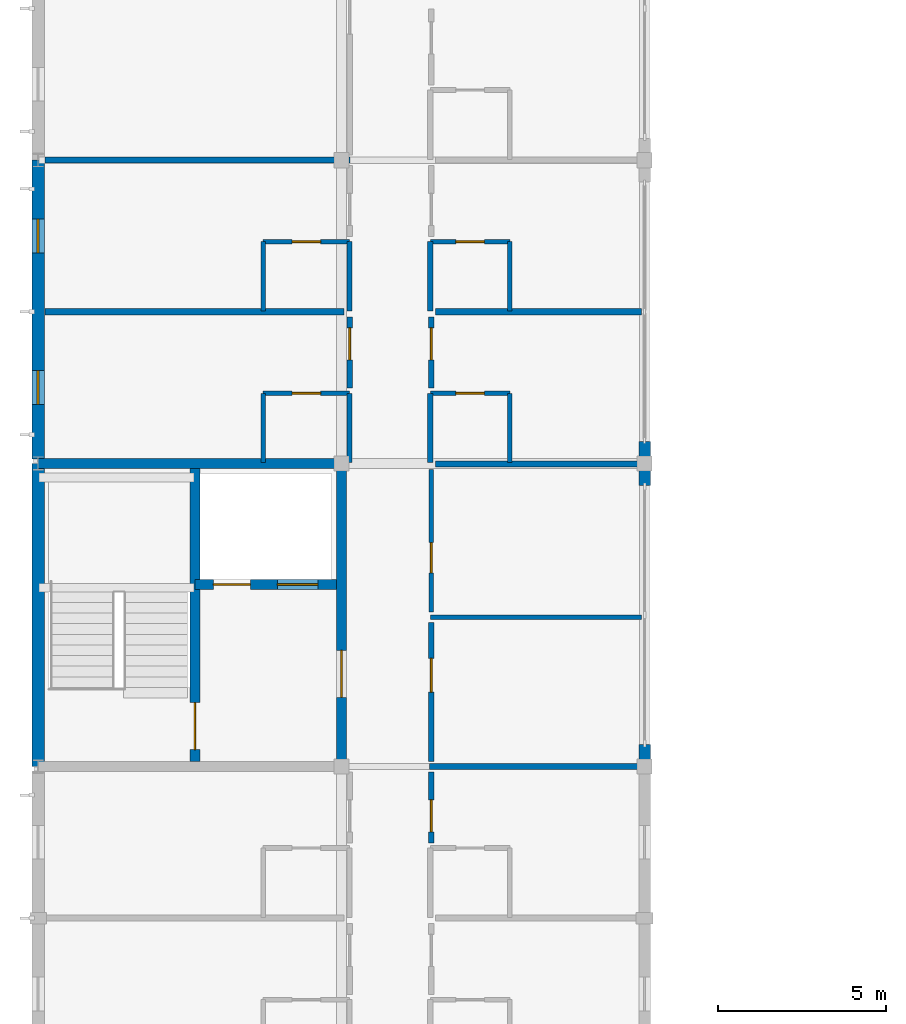
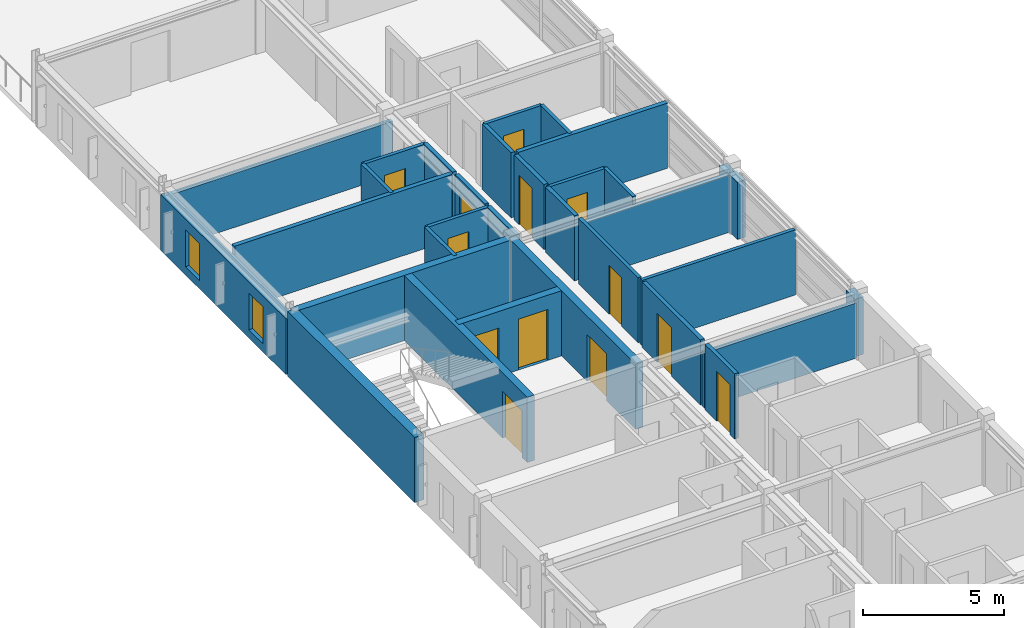
# One storey, part 13 of 20: 32 walls, 13 doors, 2 windows, 15 openings.
"""IFC4 building model written with IfcOpenShell, lengths in metres."""

from ifc_helpers import new_model, si_unit, direction, frame, frame_2d, origin, place, context, subcontext, project, spatial, rectangle, extrude, material, layer, layer_set, type_object, element, fill, save


model = new_model("IFC4")

# Units and contexts
model_context = context("Model", 3, precision=1e-05, world=origin(), true_north=direction((0.0, 1.0)))
body_context = subcontext(model_context, "Body", "Model", "MODEL_VIEW")
ifc_project = project(units=[si_unit("LENGTHUNIT", "METRE"), si_unit("AREAUNIT", "SQUARE_METRE"), si_unit("VOLUMEUNIT", "CUBIC_METRE"), si_unit("PLANEANGLEUNIT", "RADIAN"), si_unit("MASSUNIT", "GRAM", prefix="KILO")], contexts=[model_context])

# Site, building, storey
site_placement = place(None, origin())
site = spatial("IfcSite", under=ifc_project, at=site_placement, CompositionType="ELEMENT")
building_placement = place(site_placement, origin())
building = spatial("IfcBuilding", under=site, at=building_placement, Name="Palais des Congres Ocreval", CompositionType="ELEMENT")
storey_placement = place(building_placement, frame((0.0, 0.0, 20.639892578125)))
storey = spatial("IfcBuildingStorey", under=building, at=storey_placement, Name="L06", CompositionType="ELEMENT", Elevation=20.639892578125)

# Wall, opening, door
ifc_material_1 = material(Name="Moisture-resistant gypsum board")
ifc_layer_1 = layer(ifc_material_1, 0.139892578125)
ifc_layer_set_1 = layer_set([ifc_layer_1], Name="Bathroom Plumbing Chase Wall 140 Gypsum (Moisture-resistant gypsum board)")
wall_type_1 = type_object("IfcWallType", Name="Bathroom Plumbing Chase Wall 140 Gypsum", PredefinedType="PLUMBINGWALL", material=ifc_layer_set_1)
wall_1_placement = place(storey_placement, frame((6.679931640625, 47.080078125, 0.0), z_axis=(0.0, 0.0, 1.0), x_axis=(1.0, 0.0, 0.0)))
wall_1 = element("IfcWall", 1, at=wall_1_placement, inside=storey, type_object=wall_type_1, Name="Bathroom Plumbing Wall PW03 L06", PredefinedType="PLUMBINGWALL", context=body_context, shape_type="SweptSolid", body=[
    extrude(rectangle(XDim=2.56005859375, YDim=0.139892578125, at=frame_2d((1.280029296875, 0.0))), origin(), (0.0, 0.0, 1.0), 2.820068359375),
])
opening_1_placement = place(wall_1_placement, frame((0.85498046875, 0.0, 0.0)))
opening_1 = element("IfcOpeningElement", 2, at=opening_1_placement, cuts=wall_1, Name="Opening D08", PredefinedType="OPENING", context=body_context, shape_type="SweptSolid", body=[
    extrude(rectangle(XDim=0.85009765625, YDim=2.0400390625, at=frame_2d((0.425048828125, 1.02001953125))), frame((0.0, 0.079833984375, 0.0), z_axis=(0.0, -1.0, 0.0), x_axis=(1.0, 0.0, 0.0)), (0.0, 0.0, 1.0), 0.159912109375),
])
ifc_material_2 = material(Name="Solid French oak", Category="wood")
door_type_1 = type_object("IfcDoorType", Name="En-Suite Bathroom Door 850x2040", OperationType="NOTDEFINED", PredefinedType="DOOR", material=ifc_material_2)
door_1_placement = place(opening_1_placement, origin())
door_1 = element("IfcDoor", 3, at=door_1_placement, inside=storey, type_object=door_type_1, Name="En-Suite Bathroom Door D08 L06", OperationType="SINGLE_SWING_RIGHT", OverallHeight=2.0400390625, OverallWidth=0.85009765625, PredefinedType="DOOR", context=body_context, shape_type="SweptSolid", body=[
    extrude(rectangle(XDim=0.85009765625, YDim=2.0400390625, at=frame_2d((0.425048828125, 1.02001953125))), frame((0.0, 0.02490234375, 0.0), z_axis=(0.0, -1.0, 0.0), x_axis=(1.0, 0.0, 0.0)), (0.0, 0.0, 1.0), 0.050048828125),
])
fill(opening_1, door_1)

# Wall
wall_2_placement = place(storey_placement, frame((6.679931640625, 45.02001953125, 0.0), z_axis=(0.0, 0.0, 1.0), x_axis=(0.0, 1.0, 0.0)))
element("IfcWall", 4, at=wall_2_placement, inside=storey, type_object=wall_type_1, Name="Bathroom Plumbing Wall PW03 L06", PredefinedType="PLUMBINGWALL", context=body_context, shape_type="SweptSolid", body=[
    extrude(rectangle(XDim=2.06005859375, YDim=0.139892578125, at=frame_2d((1.030029296875, 0.0))), origin(), (0.0, 0.0, 1.0), 2.820068359375),
])

# Wall, opening, door
wall_3_placement = place(storey_placement, frame((6.679931640625, 51.580078125, 0.0), z_axis=(0.0, 0.0, 1.0), x_axis=(1.0, 0.0, 0.0)))
wall_3 = element("IfcWall", 5, at=wall_3_placement, inside=storey, type_object=wall_type_1, Name="Bathroom Plumbing Wall PW03 L06", PredefinedType="PLUMBINGWALL", context=body_context, shape_type="SweptSolid", body=[
    extrude(rectangle(XDim=2.56005859375, YDim=0.139892578125, at=frame_2d((1.280029296875, 0.0))), origin(), (0.0, 0.0, 1.0), 2.820068359375),
])
opening_2_placement = place(wall_3_placement, frame((0.85498046875, 0.0, 0.0)))
opening_2 = element("IfcOpeningElement", 6, at=opening_2_placement, cuts=wall_3, Name="Opening D08", PredefinedType="OPENING", context=body_context, shape_type="SweptSolid", body=[
    extrude(rectangle(XDim=0.85009765625, YDim=2.0400390625, at=frame_2d((0.425048828125, 1.02001953125))), frame((0.0, 0.079833984375, 0.0), z_axis=(0.0, -1.0, 0.0), x_axis=(1.0, 0.0, 0.0)), (0.0, 0.0, 1.0), 0.159912109375),
])
door_2_placement = place(opening_2_placement, origin())
door_2 = element("IfcDoor", 7, at=door_2_placement, inside=storey, type_object=door_type_1, Name="En-Suite Bathroom Door D08 L06", OperationType="SINGLE_SWING_LEFT", OverallHeight=2.0400390625, OverallWidth=0.85009765625, PredefinedType="DOOR", context=body_context, shape_type="SweptSolid", body=[
    extrude(rectangle(XDim=0.85009765625, YDim=2.0400390625, at=frame_2d((0.425048828125, 1.02001953125))), frame((0.0, 0.02490234375, 0.0), z_axis=(0.0, -1.0, 0.0), x_axis=(1.0, 0.0, 0.0)), (0.0, 0.0, 1.0), 0.050048828125),
])
fill(opening_2, door_2)

# Wall
wall_4_placement = place(storey_placement, frame((6.679931640625, 49.52001953125, 0.0), z_axis=(0.0, 0.0, 1.0), x_axis=(0.0, 1.0, 0.0)))
element("IfcWall", 8, at=wall_4_placement, inside=storey, type_object=wall_type_1, Name="Bathroom Plumbing Wall PW03 L06", PredefinedType="PLUMBINGWALL", context=body_context, shape_type="SweptSolid", body=[
    extrude(rectangle(XDim=2.06005859375, YDim=0.139892578125, at=frame_2d((1.030029296875, 0.0))), origin(), (0.0, 0.0, 1.0), 2.820068359375),
])

# Wall, opening, door
wall_5_placement = place(storey_placement, frame((11.639892578125, 47.080078125, 0.0), z_axis=(0.0, 0.0, 1.0), x_axis=(1.0, 0.0, 0.0)))
wall_5 = element("IfcWall", 9, at=wall_5_placement, inside=storey, type_object=wall_type_1, Name="Bathroom Plumbing Wall PW03 L06", PredefinedType="PLUMBINGWALL", context=body_context, shape_type="SweptSolid", body=[
    extrude(rectangle(XDim=2.360107421875, YDim=0.139892578125, at=frame_2d((1.18017578125, 0.0))), origin(), (0.0, 0.0, 1.0), 2.820068359375),
])
opening_3_placement = place(wall_5_placement, frame((0.7548828125, 0.0, 0.0)))
opening_3 = element("IfcOpeningElement", 10, at=opening_3_placement, cuts=wall_5, Name="Opening D08", PredefinedType="OPENING", context=body_context, shape_type="SweptSolid", body=[
    extrude(rectangle(XDim=0.85009765625, YDim=2.0400390625, at=frame_2d((0.425048828125, 1.02001953125))), frame((0.0, 0.079833984375, 0.0), z_axis=(0.0, -1.0, 0.0), x_axis=(1.0, 0.0, 0.0)), (0.0, 0.0, 1.0), 0.159912109375),
])
door_3_placement = place(opening_3_placement, origin())
door_3 = element("IfcDoor", 11, at=door_3_placement, inside=storey, type_object=door_type_1, Name="En-Suite Bathroom Door D08 L06", OperationType="SINGLE_SWING_RIGHT", OverallHeight=2.0400390625, OverallWidth=0.85009765625, PredefinedType="DOOR", context=body_context, shape_type="SweptSolid", body=[
    extrude(rectangle(XDim=0.85009765625, YDim=2.0400390625, at=frame_2d((0.425048828125, 1.02001953125))), frame((0.0, 0.02490234375, 0.0), z_axis=(0.0, -1.0, 0.0), x_axis=(1.0, 0.0, 0.0)), (0.0, 0.0, 1.0), 0.050048828125),
])
fill(opening_3, door_3)

# Wall
wall_6_placement = place(storey_placement, frame((14.0, 45.02001953125, 0.0), z_axis=(0.0, 0.0, 1.0), x_axis=(0.0, 1.0, 0.0)))
element("IfcWall", 12, at=wall_6_placement, inside=storey, type_object=wall_type_1, Name="Bathroom Plumbing Wall PW03 L06", PredefinedType="PLUMBINGWALL", context=body_context, shape_type="SweptSolid", body=[
    extrude(rectangle(XDim=2.06005859375, YDim=0.139892578125, at=frame_2d((1.030029296875, 0.0))), origin(), (0.0, 0.0, 1.0), 2.820068359375),
])

# Wall, opening, door
wall_7_placement = place(storey_placement, frame((11.639892578125, 51.580078125, 0.0), z_axis=(0.0, 0.0, 1.0), x_axis=(1.0, 0.0, 0.0)))
wall_7 = element("IfcWall", 13, at=wall_7_placement, inside=storey, type_object=wall_type_1, Name="Bathroom Plumbing Wall PW03 L06", PredefinedType="PLUMBINGWALL", context=body_context, shape_type="SweptSolid", body=[
    extrude(rectangle(XDim=2.360107421875, YDim=0.139892578125, at=frame_2d((1.18017578125, 0.0))), origin(), (0.0, 0.0, 1.0), 2.820068359375),
])
opening_4_placement = place(wall_7_placement, frame((0.7548828125, 0.0, 0.0)))
opening_4 = element("IfcOpeningElement", 14, at=opening_4_placement, cuts=wall_7, Name="Opening D08", PredefinedType="OPENING", context=body_context, shape_type="SweptSolid", body=[
    extrude(rectangle(XDim=0.85009765625, YDim=2.0400390625, at=frame_2d((0.425048828125, 1.02001953125))), frame((0.0, 0.079833984375, 0.0), z_axis=(0.0, -1.0, 0.0), x_axis=(1.0, 0.0, 0.0)), (0.0, 0.0, 1.0), 0.159912109375),
])
door_4_placement = place(opening_4_placement, origin())
door_4 = element("IfcDoor", 15, at=door_4_placement, inside=storey, type_object=door_type_1, Name="En-Suite Bathroom Door D08 L06", OperationType="SINGLE_SWING_LEFT", OverallHeight=2.0400390625, OverallWidth=0.85009765625, PredefinedType="DOOR", context=body_context, shape_type="SweptSolid", body=[
    extrude(rectangle(XDim=0.85009765625, YDim=2.0400390625, at=frame_2d((0.425048828125, 1.02001953125))), frame((0.0, 0.02490234375, 0.0), z_axis=(0.0, -1.0, 0.0), x_axis=(1.0, 0.0, 0.0)), (0.0, 0.0, 1.0), 0.050048828125),
])
fill(opening_4, door_4)

# Walls
wall_8_placement = place(storey_placement, frame((14.0, 49.52001953125, 0.0), z_axis=(0.0, 0.0, 1.0), x_axis=(0.0, 1.0, 0.0)))
element("IfcWall", 16, at=wall_8_placement, inside=storey, type_object=wall_type_1, Name="Bathroom Plumbing Wall PW03 L06", PredefinedType="PLUMBINGWALL", context=body_context, shape_type="SweptSolid", body=[
    extrude(rectangle(XDim=2.06005859375, YDim=0.139892578125, at=frame_2d((1.030029296875, 0.0))), origin(), (0.0, 0.0, 1.0), 2.820068359375),
])
wall_9_placement = place(storey_placement, frame((11.639892578125, 40.43505859375, 0.0), z_axis=(0.0, 0.0, 1.0), x_axis=(1.0, 0.0, 0.0)))
element("IfcWall", 17, at=wall_9_placement, inside=storey, type_object=wall_type_1, Name="Interior Partition PW03 L06", PredefinedType="PLUMBINGWALL", context=body_context, shape_type="SweptSolid", body=[
    extrude(rectangle(XDim=6.26513671875, YDim=0.139892578125, at=frame_2d((3.132568359375, 0.0))), origin(), (0.0, 0.0, 1.0), 2.820068359375),
])

# Wall, opening, door
wall_10_placement = place(storey_placement, frame((11.669921875, 40.590087890625, 0.0), z_axis=(0.0, 0.0, 1.0), x_axis=(0.0, 1.0, 0.0)))
wall_10 = element("IfcWall", 18, at=wall_10_placement, inside=storey, type_object=wall_type_1, Name="Interior Partition PW03 L06", PredefinedType="PLUMBINGWALL", context=body_context, shape_type="SweptSolid", body=[
    extrude(rectangle(XDim=4.22998046875, YDim=0.139892578125, at=frame_2d((2.114990234375, 0.0))), origin(), (0.0, 0.0, 1.0), 2.820068359375),
])
opening_5_placement = place(wall_10_placement, frame((1.157470703125, 0.0, 0.0)))
opening_5 = element("IfcOpeningElement", 19, at=opening_5_placement, cuts=wall_10, Name="Opening D09", PredefinedType="OPENING", context=body_context, shape_type="SweptSolid", body=[
    extrude(rectangle(XDim=0.89990234375, YDim=2.10009765625, at=frame_2d((0.449951171875, 1.050048828125))), frame((0.0, 0.079833984375, 0.0), z_axis=(0.0, -1.0, 0.0), x_axis=(1.0, 0.0, 0.0)), (0.0, 0.0, 1.0), 0.159912109375),
])
door_type_2 = type_object("IfcDoorType", Name="Accessible Restroom Door 900x2100", OperationType="NOTDEFINED", PredefinedType="DOOR", material=ifc_material_2)
door_5_placement = place(opening_5_placement, origin())
door_5 = element("IfcDoor", 20, at=door_5_placement, inside=storey, type_object=door_type_2, Name="Interior Door D09 L06", OperationType="SINGLE_SWING_RIGHT", OverallHeight=2.10009765625, OverallWidth=0.89990234375, PredefinedType="DOOR", context=body_context, shape_type="SweptSolid", body=[
    extrude(rectangle(XDim=0.89990234375, YDim=2.10009765625, at=frame_2d((0.449951171875, 1.050048828125))), frame((0.0, 0.02490234375, 0.0), z_axis=(0.0, -1.0, 0.0), x_axis=(1.0, 0.0, 0.0)), (0.0, 0.0, 1.0), 0.050048828125),
])
fill(opening_5, door_5)

ifc_material_3 = material(Name="Concrete C40/50", Category="concrete")
ifc_layer_2 = layer(ifc_material_3, 0.300048828125)
ifc_layer_set_2 = layer_set([ifc_layer_2], Name="Core Shear Wall 300 Concrete C40/50")
wall_type_2 = type_object("IfcWallType", Name="Core Shear Wall 300 Concrete C40/50", PredefinedType="SHEAR", material=ifc_layer_set_2)
wall_11_placement = place(storey_placement, frame((9.0, 36.0, 0.0), z_axis=(0.0, 0.0, 1.0), x_axis=(0.0, 1.0, 0.0)))
wall_11 = element("IfcWall", 21, at=wall_11_placement, inside=storey, type_object=wall_type_2, Name="Core Shear Wall SC03 L06 E", PredefinedType="SHEAR", context=body_context, shape_type="SweptSolid", body=[
    extrude(rectangle(XDim=9.0, YDim=0.300048828125, at=frame_2d((4.5, 0.0))), origin(), (0.0, 0.0, 1.0), 2.820068359375),
])
opening_6_placement = place(wall_11_placement, frame((2.050048828125, 0.0, 0.0)))
opening_6 = element("IfcOpeningElement", 22, at=opening_6_placement, cuts=wall_11, Name="Opening D03", PredefinedType="OPENING", context=body_context, shape_type="SweptSolid", body=[
    extrude(rectangle(XDim=1.39990234375, YDim=2.02001953125, at=frame_2d((0.699951171875, 1.010009765625))), frame((0.0, 0.159912109375, 0.0), z_axis=(0.0, -1.0, 0.0), x_axis=(1.0, 0.0, 0.0)), (0.0, 0.0, 1.0), 0.320068359375),
])
ifc_material_4 = material(Name="Painted fire-rated steel", Category="steel")
door_type_3 = type_object("IfcDoorType", Name="Core Lobby Rated Door 1400x2020", OperationType="NOTDEFINED", PredefinedType="DOOR", material=ifc_material_4)
door_6_placement = place(opening_6_placement, origin())
door_6 = element("IfcDoor", 23, at=door_6_placement, inside=storey, type_object=door_type_3, Name="Firefighting Lobby Entrance Door SC03 L06", OperationType="DOUBLE_DOOR_SINGLE_SWING", OverallHeight=2.02001953125, OverallWidth=1.39990234375, PredefinedType="DOOR", context=body_context, shape_type="SweptSolid", body=[
    extrude(rectangle(XDim=1.39990234375, YDim=2.02001953125, at=frame_2d((0.699951171875, 1.010009765625))), frame((0.0, 0.02490234375, 0.0), z_axis=(0.0, -1.0, 0.0), x_axis=(1.0, 0.0, 0.0)), (0.0, 0.0, 1.0), 0.050048828125),
])
fill(opening_6, door_6)

# Wall
wall_12_placement = place(storey_placement, frame((0.0, 45.0, 0.0), z_axis=(0.0, 0.0, 1.0), x_axis=(1.0, 0.0, 0.0)))
element("IfcWall", 24, at=wall_12_placement, inside=storey, type_object=wall_type_2, Name="Core Shear Wall SC03 L06 N", PredefinedType="SHEAR", context=body_context, shape_type="SweptSolid", body=[
    extrude(rectangle(XDim=9.0, YDim=0.300048828125, at=frame_2d((4.5, 0.0))), origin(), (0.0, 0.0, 1.0), 2.820068359375),
])

# Wall, opening, door
wall_13_placement = place(storey_placement, frame((4.64990234375, 36.14990234375, 0.0), z_axis=(0.0, 0.0, 1.0), x_axis=(0.0, 1.0, 0.0)))
wall_13 = element("IfcWall", 25, at=wall_13_placement, inside=storey, type_object=wall_type_2, Name="Core Spine Shear Wall SC03 L06", PredefinedType="SHEAR", context=body_context, shape_type="SweptSolid", body=[
    extrude(rectangle(XDim=8.7001953125, YDim=0.300048828125, at=frame_2d((4.35009765625, 0.0))), origin(), (0.0, 0.0, 1.0), 2.820068359375),
])
opening_7_placement = place(wall_13_placement, frame((0.35009765625, 0.0, 0.0)))
opening_7 = element("IfcOpeningElement", 26, at=opening_7_placement, cuts=wall_13, Name="Opening D03", PredefinedType="OPENING", context=body_context, shape_type="SweptSolid", body=[
    extrude(rectangle(XDim=1.39990234375, YDim=2.02001953125, at=frame_2d((0.699951171875, 1.010009765625))), frame((0.0, 0.159912109375, 0.0), z_axis=(0.0, -1.0, 0.0), x_axis=(1.0, 0.0, 0.0)), (0.0, 0.0, 1.0), 0.320068359375),
])
door_7_placement = place(opening_7_placement, origin())
door_7 = element("IfcDoor", 27, at=door_7_placement, inside=storey, type_object=door_type_3, Name="Protected Exit Stair Door ST03 L06", OperationType="SINGLE_SWING_LEFT", OverallHeight=2.02001953125, OverallWidth=1.39990234375, PredefinedType="DOOR", context=body_context, shape_type="SweptSolid", body=[
    extrude(rectangle(XDim=1.39990234375, YDim=2.02001953125, at=frame_2d((0.699951171875, 1.010009765625))), frame((0.0, 0.02490234375, 0.0), z_axis=(0.0, -1.0, 0.0), x_axis=(1.0, 0.0, 0.0)), (0.0, 0.0, 1.0), 0.050048828125),
])
fill(opening_7, door_7)

# Wall, openings, doors
wall_14_placement = place(storey_placement, frame((4.64990234375, 41.39990234375, 0.0), z_axis=(0.0, 0.0, 1.0), x_axis=(1.0, 0.0, 0.0)))
wall_14 = element("IfcWall", 28, at=wall_14_placement, inside=storey, type_object=wall_type_2, Name="Lift Shaft Front Wall SC03 L06", PredefinedType="SHEAR", context=body_context, shape_type="SweptSolid", body=[
    extrude(rectangle(XDim=4.2001953125, YDim=0.300048828125, at=frame_2d((2.10009765625, 0.0))), origin(), (0.0, 0.0, 1.0), 2.820068359375),
])
opening_8_placement = place(wall_14_placement, frame((0.550048828125, 0.0, 0.0)))
opening_8 = element("IfcOpeningElement", 29, at=opening_8_placement, cuts=wall_14, Name="Opening LD01", PredefinedType="OPENING", context=body_context, shape_type="SweptSolid", body=[
    extrude(rectangle(XDim=1.10009765625, YDim=2.10009765625, at=frame_2d((0.550048828125, 1.050048828125))), frame((0.0, 0.159912109375, 0.0), z_axis=(0.0, -1.0, 0.0), x_axis=(1.0, 0.0, 0.0)), (0.0, 0.0, 1.0), 0.320068359375),
])
opening_9_placement = place(wall_14_placement, frame((2.449951171875, 0.0, 0.0)))
opening_9 = element("IfcOpeningElement", 30, at=opening_9_placement, cuts=wall_14, Name="Opening LD02", PredefinedType="OPENING", context=body_context, shape_type="SweptSolid", body=[
    extrude(rectangle(XDim=1.199951171875, YDim=2.199951171875, at=frame_2d((0.60009765625, 1.10009765625))), frame((0.0, 0.159912109375, 0.0), z_axis=(0.0, -1.0, 0.0), x_axis=(1.0, 0.0, 0.0)), (0.0, 0.0, 1.0), 0.320068359375),
])
ifc_material_5 = material(Name="Stainless steel", Category="steel")
door_type_4 = type_object("IfcDoorType", Name="Firefighting Lift Sliding Landing Door 1100x2100", OperationType="NOTDEFINED", PredefinedType="DOOR", material=ifc_material_5)
door_8_placement = place(opening_8_placement, origin())
door_8 = element("IfcDoor", 31, at=door_8_placement, inside=storey, type_object=door_type_4, Name="Lift Landing Sliding Door FF3 L06", OperationType="DOUBLE_DOOR_SLIDING", OverallHeight=2.10009765625, OverallWidth=1.10009765625, PredefinedType="DOOR", context=body_context, shape_type="SweptSolid", body=[
    extrude(rectangle(XDim=1.10009765625, YDim=2.10009765625, at=frame_2d((0.550048828125, 1.050048828125))), frame((0.0, 0.02490234375, 0.0), z_axis=(0.0, -1.0, 0.0), x_axis=(1.0, 0.0, 0.0)), (0.0, 0.0, 1.0), 0.050048828125),
])
fill(opening_8, door_8)
ifc_material_6 = material(Name="Anodized bronze steel", Category="steel")
door_type_5 = type_object("IfcDoorType", Name="Passenger and Service Lift Sliding Door 1200x2200", OperationType="NOTDEFINED", PredefinedType="DOOR", material=ifc_material_6)
door_9_placement = place(opening_9_placement, origin())
door_9 = element("IfcDoor", 32, at=door_9_placement, inside=storey, type_object=door_type_5, Name="Lift Landing Sliding Door PL3 L06", OperationType="DOUBLE_DOOR_SLIDING", OverallHeight=2.199951171875, OverallWidth=1.199951171875, PredefinedType="DOOR", context=body_context, shape_type="SweptSolid", body=[
    extrude(rectangle(XDim=1.199951171875, YDim=2.199951171875, at=frame_2d((0.60009765625, 1.10009765625))), frame((0.0, 0.02490234375, 0.0), z_axis=(0.0, -1.0, 0.0), x_axis=(1.0, 0.0, 0.0)), (0.0, 0.0, 1.0), 0.050048828125),
])
fill(opening_9, door_9)

# Walls
ifc_material_7 = material(Name="Gypsum acoustic partition")
ifc_layer_3 = layer(ifc_material_7, 0.159912109375)
ifc_layer_set_3 = layer_set([ifc_layer_3], Name="Corridor Fire Partition 160 Gypsum (Gypsum acoustic partition)")
wall_type_3 = type_object("IfcWallType", Name="Corridor Fire Partition 160 Gypsum", PredefinedType="PARTITIONING", material=ifc_layer_set_3)
for number, where, z_axis, x_axis, name in (
    (33, (9.239990234375, 45.02001953125, 0.0), (0.0, 0.0, 1.0), (0.0, 1.0, 0.0), "Corridor Partition IW03 L06"),
    (34, (9.239990234375, 49.52001953125, 0.0), (0.0, 0.0, 1.0), (0.0, 1.0, 0.0), "Corridor Partition IW03 L06"),
    (35, (11.639892578125, 45.02001953125, 0.0), (0.0, 0.0, 1.0), (0.0, 1.0, 0.0), "Corridor Partition IW03 L06"),
    (36, (11.639892578125, 49.52001953125, 0.0), (0.0, 0.0, 1.0), (0.0, 1.0, 0.0), "Corridor Partition IW03 L06"),
):
    element("IfcWall", number, at=place(storey_placement, frame(where, z_axis=z_axis, x_axis=x_axis)), inside=storey, type_object=wall_type_3, Name=name, PredefinedType="PARTITIONING", context=body_context, shape_type="SweptSolid", body=[
        extrude(rectangle(XDim=2.06005859375, YDim=0.159912109375, at=frame_2d((1.030029296875, 0.0))), origin(), (0.0, 0.0, 1.0), 2.820068359375),
    ])

# Wall, opening, door
wall_15_placement = place(storey_placement, frame((11.669921875, 33.735107421875, 0.0), z_axis=(0.0, 0.0, 1.0), x_axis=(0.0, 1.0, 0.0)))
wall_15 = element("IfcWall", 37, at=wall_15_placement, inside=storey, type_object=wall_type_3, Name="Interior Partition IW03 L06", PredefinedType="PARTITIONING", context=body_context, shape_type="SweptSolid", body=[
    extrude(rectangle(XDim=2.10986328125, YDim=0.159912109375, at=frame_2d((1.054931640625, 0.0))), origin(), (0.0, 0.0, 1.0), 2.820068359375),
])
opening_10_placement = place(wall_15_placement, frame((0.326904296875, 0.0, 0.0)))
opening_10 = element("IfcOpeningElement", 38, at=opening_10_placement, cuts=wall_15, Name="Opening D05", PredefinedType="OPENING", context=body_context, shape_type="SweptSolid", body=[
    extrude(rectangle(XDim=0.949951171875, YDim=2.14990234375, at=frame_2d((0.47509765625, 1.074951171875))), frame((0.0, 0.08984375, 0.0), z_axis=(0.0, -1.0, 0.0), x_axis=(1.0, 0.0, 0.0)), (0.0, 0.0, 1.0), 0.179931640625),
])
door_type_6 = type_object("IfcDoorType", Name="Hotel Guestroom Entrance Door 950x2150", OperationType="NOTDEFINED", PredefinedType="DOOR", material=ifc_material_2)
door_10_placement = place(opening_10_placement, origin())
door_10 = element("IfcDoor", 39, at=door_10_placement, inside=storey, type_object=door_type_6, Name="Interior Door D05 L06", OperationType="SINGLE_SWING_LEFT", OverallHeight=2.14990234375, OverallWidth=0.949951171875, PredefinedType="DOOR", context=body_context, shape_type="SweptSolid", body=[
    extrude(rectangle(XDim=0.949951171875, YDim=2.14990234375, at=frame_2d((0.47509765625, 1.074951171875))), frame((0.0, 0.02490234375, 0.0), z_axis=(0.0, -1.0, 0.0), x_axis=(1.0, 0.0, 0.0)), (0.0, 0.0, 1.0), 0.050048828125),
])
fill(opening_10, door_10)

wall_16_placement = place(storey_placement, frame((11.669921875, 36.155029296875, 0.0), z_axis=(0.0, 0.0, 1.0), x_axis=(0.0, 1.0, 0.0)))
wall_16 = element("IfcWall", 40, at=wall_16_placement, inside=storey, type_object=wall_type_3, Name="Interior Partition IW03 L06", PredefinedType="PARTITIONING", context=body_context, shape_type="SweptSolid", body=[
    extrude(rectangle(XDim=4.125, YDim=0.159912109375, at=frame_2d((2.0625, 0.0))), origin(), (0.0, 0.0, 1.0), 2.820068359375),
])
opening_11_placement = place(wall_16_placement, frame((2.0576171875, 0.0, 0.0)))
opening_11 = element("IfcOpeningElement", 41, at=opening_11_placement, cuts=wall_16, Name="Opening D10", PredefinedType="OPENING", context=body_context, shape_type="SweptSolid", body=[
    extrude(rectangle(XDim=1.0, YDim=2.10009765625, at=frame_2d((0.5, 1.050048828125))), frame((0.0, 0.08984375, 0.0), z_axis=(0.0, -1.0, 0.0), x_axis=(1.0, 0.0, 0.0)), (0.0, 0.0, 1.0), 0.179931640625),
])
ifc_material_8 = material(Name="Painted steel", Category="steel")
door_type_7 = type_object("IfcDoorType", Name="Service and Pantry Door 1000x2100", OperationType="NOTDEFINED", PredefinedType="DOOR", material=ifc_material_8)
door_11_placement = place(opening_11_placement, origin())
door_11 = element("IfcDoor", 42, at=door_11_placement, inside=storey, type_object=door_type_7, Name="Interior Door D10 L06", OperationType="SINGLE_SWING_LEFT", OverallHeight=2.10009765625, OverallWidth=1.0, PredefinedType="DOOR", context=body_context, shape_type="SweptSolid", body=[
    extrude(rectangle(XDim=1.0, YDim=2.10009765625, at=frame_2d((0.5, 1.050048828125))), frame((0.0, 0.02490234375, 0.0), z_axis=(0.0, -1.0, 0.0), x_axis=(1.0, 0.0, 0.0)), (0.0, 0.0, 1.0), 0.050048828125),
])
fill(opening_11, door_11)

wall_17_placement = place(storey_placement, frame((9.25, 47.235107421875, 0.0), z_axis=(0.0, 0.0, 1.0), x_axis=(0.0, 1.0, 0.0)))
wall_17 = element("IfcWall", 43, at=wall_17_placement, inside=storey, type_object=wall_type_3, Name="Interior Partition IW03 L06", PredefinedType="PARTITIONING", context=body_context, shape_type="SweptSolid", body=[
    extrude(rectangle(XDim=2.10986328125, YDim=0.159912109375, at=frame_2d((1.054931640625, 0.0))), origin(), (0.0, 0.0, 1.0), 2.820068359375),
])
opening_12_placement = place(wall_17_placement, frame((0.833251953125, 0.0, 0.0)))
opening_12 = element("IfcOpeningElement", 44, at=opening_12_placement, cuts=wall_17, Name="Opening D05", PredefinedType="OPENING", context=body_context, shape_type="SweptSolid", body=[
    extrude(rectangle(XDim=0.949951171875, YDim=2.14990234375, at=frame_2d((0.47509765625, 1.074951171875))), frame((0.0, 0.08984375, 0.0), z_axis=(0.0, -1.0, 0.0), x_axis=(1.0, 0.0, 0.0)), (0.0, 0.0, 1.0), 0.179931640625),
])
door_12_placement = place(opening_12_placement, origin())
door_12 = element("IfcDoor", 45, at=door_12_placement, inside=storey, type_object=door_type_6, Name="Interior Door D05 L06", OperationType="SINGLE_SWING_RIGHT", OverallHeight=2.14990234375, OverallWidth=0.949951171875, PredefinedType="DOOR", context=body_context, shape_type="SweptSolid", body=[
    extrude(rectangle(XDim=0.949951171875, YDim=2.14990234375, at=frame_2d((0.47509765625, 1.074951171875))), frame((0.0, 0.02490234375, 0.0), z_axis=(0.0, -1.0, 0.0), x_axis=(1.0, 0.0, 0.0)), (0.0, 0.0, 1.0), 0.050048828125),
])
fill(opening_12, door_12)

wall_18_placement = place(storey_placement, frame((11.669921875, 47.235107421875, 0.0), z_axis=(0.0, 0.0, 1.0), x_axis=(0.0, 1.0, 0.0)))
wall_18 = element("IfcWall", 46, at=wall_18_placement, inside=storey, type_object=wall_type_3, Name="Interior Partition IW03 L06", PredefinedType="PARTITIONING", context=body_context, shape_type="SweptSolid", body=[
    extrude(rectangle(XDim=2.10986328125, YDim=0.159912109375, at=frame_2d((1.054931640625, 0.0))), origin(), (0.0, 0.0, 1.0), 2.820068359375),
])
opening_13_placement = place(wall_18_placement, frame((0.833251953125, 0.0, 0.0)))
opening_13 = element("IfcOpeningElement", 47, at=opening_13_placement, cuts=wall_18, Name="Opening D05", PredefinedType="OPENING", context=body_context, shape_type="SweptSolid", body=[
    extrude(rectangle(XDim=0.949951171875, YDim=2.14990234375, at=frame_2d((0.47509765625, 1.074951171875))), frame((0.0, 0.08984375, 0.0), z_axis=(0.0, -1.0, 0.0), x_axis=(1.0, 0.0, 0.0)), (0.0, 0.0, 1.0), 0.179931640625),
])
door_13_placement = place(opening_13_placement, origin())
door_13 = element("IfcDoor", 48, at=door_13_placement, inside=storey, type_object=door_type_6, Name="Interior Door D05 L06", OperationType="SINGLE_SWING_RIGHT", OverallHeight=2.14990234375, OverallWidth=0.949951171875, PredefinedType="DOOR", context=body_context, shape_type="SweptSolid", body=[
    extrude(rectangle(XDim=0.949951171875, YDim=2.14990234375, at=frame_2d((0.47509765625, 1.074951171875))), frame((0.0, 0.02490234375, 0.0), z_axis=(0.0, -1.0, 0.0), x_axis=(1.0, 0.0, 0.0)), (0.0, 0.0, 1.0), 0.050048828125),
])
fill(opening_13, door_13)

# Walls
ifc_layer_4 = layer(ifc_material_7, 0.179931640625)
ifc_layer_set_4 = layer_set([ifc_layer_4], Name="Hotel Inter-Room Acoustic Partition 180 Gypsum (Gypsum acoustic partition)")
wall_type_4 = type_object("IfcWallType", Name="Hotel Inter-Room Acoustic Partition 180 Gypsum", PredefinedType="PARTITIONING", material=ifc_layer_set_4)
wall_19_placement = place(storey_placement, frame((11.6201171875, 36.0, 0.0), z_axis=(0.0, 0.0, 1.0), x_axis=(1.0, 0.0, 0.0)))
element("IfcWall", 49, at=wall_19_placement, inside=storey, type_object=wall_type_4, Name="Hotel Party Partition IW02 L06", PredefinedType="PARTITIONING", context=body_context, shape_type="SweptSolid", body=[
    extrude(rectangle(XDim=6.204833984375, YDim=0.179931640625, at=frame_2d((3.1025390625, 0.0))), origin(), (0.0, 0.0, 1.0), 2.380126953125),
])
wall_20_placement = place(storey_placement, frame((11.794921875, 44.97509765625, 0.0), z_axis=(0.0, 0.0, 1.0), x_axis=(1.0, 0.0, 0.0)))
element("IfcWall", 50, at=wall_20_placement, inside=storey, type_object=wall_type_4, Name="Hotel Party Partition IW02 L06", PredefinedType="PARTITIONING", context=body_context, shape_type="SweptSolid", body=[
    extrude(rectangle(XDim=6.030029296875, YDim=0.179931640625, at=frame_2d((3.01513671875, 0.0))), origin(), (0.0, 0.0, 1.0), 2.480224609375),
])
wall_21_placement = place(storey_placement, frame((0.195068359375, 49.5, 0.0), z_axis=(0.0, 0.0, 1.0), x_axis=(1.0, 0.0, 0.0)))
element("IfcWall", 51, at=wall_21_placement, inside=storey, type_object=wall_type_4, Name="Hotel Party Partition IW02 L06", PredefinedType="PARTITIONING", context=body_context, shape_type="SweptSolid", body=[
    extrude(rectangle(XDim=8.889892578125, YDim=0.179931640625, at=frame_2d((4.44482421875, 0.0))), origin(), (0.0, 0.0, 1.0), 2.820068359375),
])
wall_22_placement = place(storey_placement, frame((0.195068359375, 54.0, 0.0), z_axis=(0.0, 0.0, 1.0), x_axis=(1.0, 0.0, 0.0)))
element("IfcWall", 52, at=wall_22_placement, inside=storey, type_object=wall_type_4, Name="Hotel Party Partition IW02 L06", PredefinedType="PARTITIONING", context=body_context, shape_type="SweptSolid", body=[
    extrude(rectangle(XDim=9.06494140625, YDim=0.179931640625, at=frame_2d((4.532470703125, 0.0))), origin(), (0.0, 0.0, 1.0), 2.330078125),
])
wall_23_placement = place(storey_placement, frame((11.794921875, 49.5, 0.0), z_axis=(0.0, 0.0, 1.0), x_axis=(1.0, 0.0, 0.0)))
element("IfcWall", 53, at=wall_23_placement, inside=storey, type_object=wall_type_4, Name="Hotel Party Partition IW02 L06", PredefinedType="PARTITIONING", context=body_context, shape_type="SweptSolid", body=[
    extrude(rectangle(XDim=6.110107421875, YDim=0.179931640625, at=frame_2d((3.05517578125, 0.0))), origin(), (0.0, 0.0, 1.0), 2.820068359375),
])
ifc_layer_5 = layer(ifc_material_3, 0.3798828125)
ifc_layer_set_5 = layer_set([ifc_layer_5], Name="Lutetian Limestone Street Wall 380 Concrete C40/50")
wall_type_5 = type_object("IfcWallType", Name="Lutetian Limestone Street Wall 380 Concrete C40/50", PredefinedType="SOLIDWALL", material=ifc_layer_set_5)
wall_24_placement = place(storey_placement, frame((0.0, 36.0, 0.0), z_axis=(0.0, 0.0, 1.0), x_axis=(0.0, 1.0, 0.0)))
element("IfcWall", 54, at=wall_24_placement, inside=storey, type_object=wall_type_5, Name="Core Perimeter Shear Wall EW03 SC03 L06", PredefinedType="SOLIDWALL", context=body_context, shape_type="SweptSolid", body=[
    extrude(rectangle(XDim=9.0, YDim=0.3798828125, at=frame_2d((4.5, 0.0))), origin(), (0.0, 0.0, 1.0), 2.820068359375),
])

# Wall, openings, windows
wall_25_placement = place(storey_placement, frame((0.0, 45.1298828125, 0.0), z_axis=(0.0, 0.0, 1.0), x_axis=(0.0, 1.0, 0.0)))
wall_25 = element("IfcWall", 55, at=wall_25_placement, inside=storey, type_object=wall_type_5, Name="Exterior Wall EW03 L06", PredefinedType="SOLIDWALL", context=body_context, shape_type="SweptSolid", body=[
    extrude(rectangle(XDim=8.8701171875, YDim=0.3798828125, at=frame_2d((4.43505859375, 0.0))), origin(), (0.0, 0.0, 1.0), 2.420166015625),
])
opening_14_placement = place(wall_25_placement, frame((1.6201171875, 0.0, 0.35009765625)))
opening_14 = element("IfcOpeningElement", 56, at=opening_14_placement, cuts=wall_25, Name="Opening WN18", PredefinedType="OPENING", context=body_context, shape_type="SweptSolid", body=[
    extrude(rectangle(XDim=1.0, YDim=1.60009765625, at=frame_2d((0.5, 0.800048828125))), frame((0.0, 0.199951171875, 0.0), z_axis=(0.0, -1.0, 0.0), x_axis=(1.0, 0.0, 0.0)), (0.0, 0.0, 1.0), 0.39990234375),
])
opening_15_placement = place(wall_25_placement, frame((6.1201171875, 0.0, 0.35009765625)))
opening_15 = element("IfcOpeningElement", 57, at=opening_15_placement, cuts=wall_25, Name="Opening WN18", PredefinedType="OPENING", context=body_context, shape_type="SweptSolid", body=[
    extrude(rectangle(XDim=1.0, YDim=1.60009765625, at=frame_2d((0.5, 0.800048828125))), frame((0.0, 0.199951171875, 0.0), z_axis=(0.0, -1.0, 0.0), x_axis=(1.0, 0.0, 0.0)), (0.0, 0.0, 1.0), 0.39990234375),
])
ifc_material_9 = material(Name="Anodized bronze aluminium and low-E glass", Category="glass")
window_type = type_object("IfcWindowType", Name="Stair and Lobby Daylight Window 1000x1600", PartitioningType="SINGLE_PANEL", PredefinedType="WINDOW", material=ifc_material_9)
window_1_placement = place(opening_14_placement, origin())
window_1 = element("IfcWindow", 58, at=window_1_placement, inside=storey, type_object=window_type, Name="Hotel Facade Window WN18", OverallHeight=1.60009765625, OverallWidth=1.0, PartitioningType="SINGLE_PANEL", PredefinedType="WINDOW", context=body_context, shape_type="SweptSolid", body=[
    extrude(rectangle(XDim=1.0, YDim=1.60009765625, at=frame_2d((0.5, 0.800048828125))), frame((0.0, 0.030029296875, 0.0), z_axis=(0.0, -1.0, 0.0), x_axis=(1.0, 0.0, 0.0)), (0.0, 0.0, 1.0), 0.06005859375),
])
fill(opening_14, window_1)
window_2_placement = place(opening_15_placement, origin())
window_2 = element("IfcWindow", 59, at=window_2_placement, inside=storey, type_object=window_type, Name="Hotel Facade Window WN18", OverallHeight=1.60009765625, OverallWidth=1.0, PartitioningType="SINGLE_PANEL", PredefinedType="WINDOW", context=body_context, shape_type="SweptSolid", body=[
    extrude(rectangle(XDim=1.0, YDim=1.60009765625, at=frame_2d((0.5, 0.800048828125))), frame((0.0, 0.030029296875, 0.0), z_axis=(0.0, -1.0, 0.0), x_axis=(1.0, 0.0, 0.0)), (0.0, 0.0, 1.0), 0.06005859375),
])
fill(opening_15, window_2)

# Walls
ifc_layer_6 = layer(ifc_material_3, 0.340087890625)
ifc_layer_set_6 = layer_set([ifc_layer_6], Name="Ochre Mineral-Lime Courtyard Wall 340 Concrete C40/50")
wall_type_6 = type_object("IfcWallType", Name="Ochre Mineral-Lime Courtyard Wall 340 Concrete C40/50", PredefinedType="SOLIDWALL", material=ifc_layer_set_6)
wall_26_placement = place(storey_placement, frame((18.0, 45.64990234375, 0.0), z_axis=(0.0, 0.0, 1.0), x_axis=(0.0, -1.0, 0.0)))
element("IfcWall", 60, at=wall_26_placement, inside=storey, type_object=wall_type_6, Name="Facade Pier EW04 L06", PredefinedType="SOLIDWALL", context=body_context, shape_type="SweptSolid", body=[
    extrude(rectangle(XDim=0.64990234375, YDim=0.340087890625, at=frame_2d((0.324951171875, 0.0))), origin(), (0.0, 0.0, 1.0), 2.420166015625),
])
for number, where, z_axis, x_axis, name in (
    (61, (18.0, 45.0, 0.0), (0.0, 0.0, 1.0), (0.0, -1.0, 0.0), "Facade Pier EW04 L06"),
    (62, (18.0, 36.64990234375, 0.0), (0.0, 0.0, 1.0), (0.0, -1.0, 0.0), "Facade Pier EW04 L06"),
):
    element("IfcWall", number, at=place(storey_placement, frame(where, z_axis=z_axis, x_axis=x_axis)), inside=storey, type_object=wall_type_6, Name=name, PredefinedType="SOLIDWALL", context=body_context, shape_type="SweptSolid", body=[
        extrude(rectangle(XDim=0.64990234375, YDim=0.340087890625, at=frame_2d((0.324951171875, 0.0))), origin(), (0.0, 0.0, 1.0), 2.480224609375),
    ])

save(model, "model.ifc")
